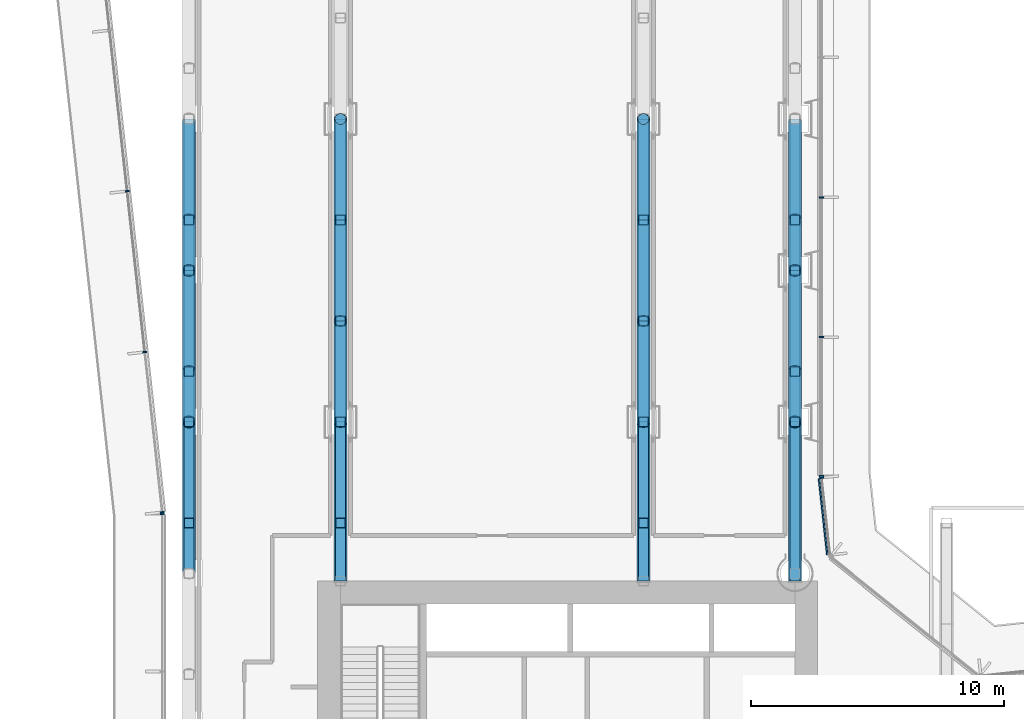
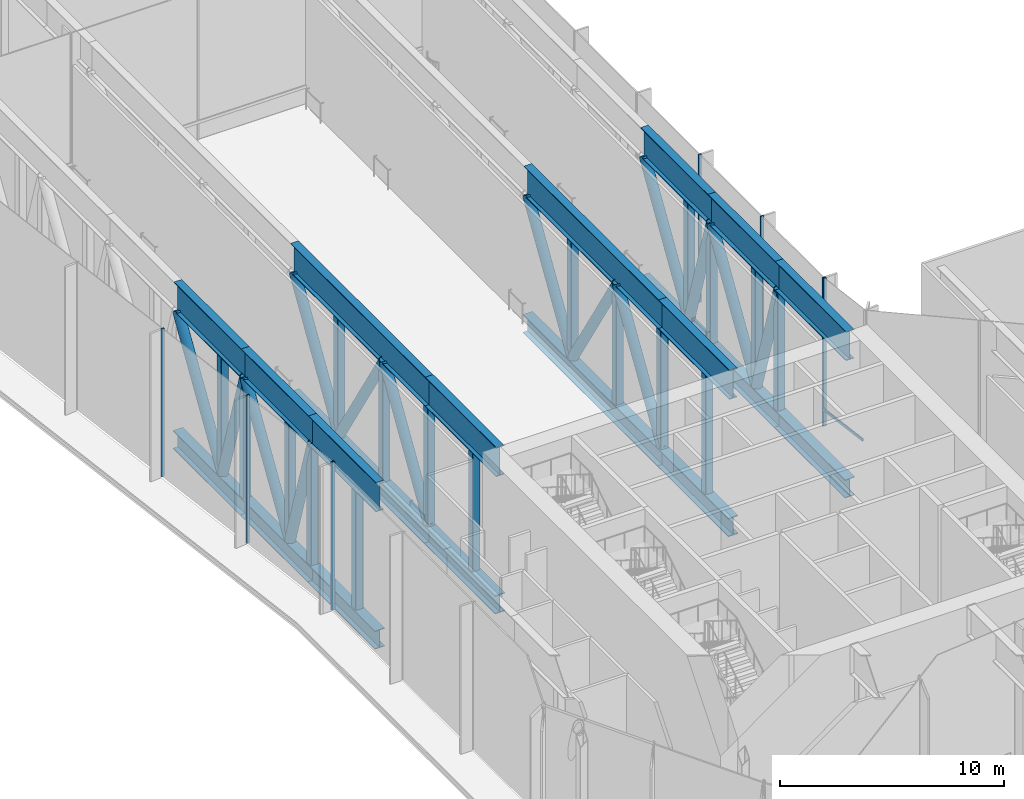
# One storey, part 7 of 25: 60 members, 4 elements without a shape of their own.
"""IFC4 building model written with IfcOpenShell, lengths in metres."""

import ifcopenshell
import ifcopenshell.guid

model = None  # the IFC model being written
_history = None  # IfcOwnerHistory: only IFC2X3 demands one
_inside = {}  # id of a spatial element -> (the spatial element, [elements in it])
_under = {}  # id of a project, library or spatial element -> (it, [spatial elements below it])
_declared = {}  # id of a project -> (the project, [libraries it declares])
_typed = {}  # id of a type object -> (the type object, [elements of that type])
_made_of = {}  # id of a material, layer set ... -> (it, [elements and type objects made of it])


def new_model(schema):
    """Start an empty IFC model of exactly this schema.

    Asked for "IFC4X3", IfcOpenShell would pick the latest addendum, in which some entities
    have other attributes; the version numbers below select the first issue.
    IFC2X3 requires an IfcOwnerHistory on every rooted entity: one is made here for all.
    """
    global model, _history
    if schema == "IFC4X3":
        model = ifcopenshell.file(schema_version=(4, 3, 0, 0))
    else:
        model = ifcopenshell.file(schema=schema)
    _inside.clear()
    _under.clear()
    _declared.clear()
    _typed.clear()
    _made_of.clear()
    _history = None
    if model.schema == "IFC2X3":
        org = make("IfcOrganization", Name="unknown")
        user = make(
            "IfcPersonAndOrganization",
            ThePerson=make("IfcPerson", FamilyName="unknown"),
            TheOrganization=org,
        )
        app = make(
            "IfcApplication",
            ApplicationDeveloper=org,
            Version="unknown",
            ApplicationFullName="unknown",
            ApplicationIdentifier="unknown",
        )
        _history = make(
            "IfcOwnerHistory",
            OwningUser=user,
            OwningApplication=app,
            ChangeAction="ADDED",
            CreationDate=0,
        )
    return model


def make(cls, **values):
    """One entity of the class cls with the attributes given. An attribute that is None is left unset."""
    return model.create_entity(
        cls, **{name: value for name, value in values.items() if value is not None}
    )


def rooted(cls, **values):
    """An entity with a GlobalId (a new one), such as an element, a storey or a relation."""
    return make(cls, GlobalId=ifcopenshell.guid.new(), OwnerHistory=_history, **values)


def si_unit(unit_type, name, prefix=None):
    """IfcSIUnit, for example si_unit("LENGTHUNIT", "METRE", prefix="MILLI")."""
    return make("IfcSIUnit", UnitType=unit_type, Prefix=prefix, Name=name)


def assignment(units):
    """IfcUnitAssignment: the units of a project."""
    return None if units is None else make("IfcUnitAssignment", Units=units)


def point(xyz):
    """IfcCartesianPoint."""
    return None if xyz is None else make("IfcCartesianPoint", Coordinates=xyz)


def direction(xyz):
    """IfcDirection."""
    return None if xyz is None else make("IfcDirection", DirectionRatios=xyz)


def frame(location, z_axis=None, x_axis=None):
    """IfcAxis2Placement3D, a coordinate frame: its origin and axes. An axis left out is left unset."""
    return make(
        "IfcAxis2Placement3D",
        Location=point(location),
        Axis=direction(z_axis),
        RefDirection=direction(x_axis),
    )


def frame_2d(location, x_axis=None):
    """IfcAxis2Placement2D, a coordinate frame in the plane: its origin and x axis."""
    return make(
        "IfcAxis2Placement2D", Location=point(location), RefDirection=direction(x_axis)
    )


def origin():
    """The frame at (0, 0, 0) with its axes left unset."""
    return frame((0.0, 0.0, 0.0))


def origin_2d():
    """The frame at (0, 0) in the plane with its x axis left unset."""
    return frame_2d((0.0, 0.0))


def place(relative_to, where):
    """IfcLocalPlacement: puts the frame where relative to a parent placement (None: the world)."""
    return make(
        "IfcLocalPlacement", PlacementRelTo=relative_to, RelativePlacement=where
    )


def context(
    kind, dimensions, precision=None, world=None, true_north=None, identifier=None
):
    """IfcGeometricRepresentationContext, for example the 3D "Model" context."""
    return make(
        "IfcGeometricRepresentationContext",
        ContextIdentifier=identifier,
        ContextType=kind,
        CoordinateSpaceDimension=dimensions,
        Precision=precision,
        WorldCoordinateSystem=world,
        TrueNorth=true_north,
    )


def subcontext(parent, identifier, kind, view, scale=None):
    """IfcGeometricRepresentationSubContext, for example "Body" below "Model"."""
    return make(
        "IfcGeometricRepresentationSubContext",
        ContextIdentifier=identifier,
        ContextType=kind,
        ParentContext=parent,
        TargetScale=scale,
        TargetView=view,
    )


def project(units=None, contexts=None):
    """IfcProject with its units and contexts."""
    return rooted(
        "IfcProject",
        Name="project",
        RepresentationContexts=contexts,
        UnitsInContext=assignment(units),
    )


def spatial(cls, under=None, at=None, **own):
    """A site, building, storey or space (cls), placed at a placement, below another one or the project."""
    s = rooted(cls, ObjectPlacement=at, **own)
    if under is not None:
        _under.setdefault(under.id(), (under, []))[1].append(s)
    return s


def profile(cls, at=None, kind="AREA", **sizes):
    """A parametric profile (cls). Its sizes go by their IFC names, for example OverallWidth=200.0."""
    return make(cls, ProfileType=kind, Position=at, **sizes)


def rectangle(**sizes):
    """IfcRectangleProfileDef."""
    return profile("IfcRectangleProfileDef", **sizes)


def hollow_rectangle(**sizes):
    """IfcRectangleHollowProfileDef."""
    return profile("IfcRectangleHollowProfileDef", **sizes)


def hollow_circle(**sizes):
    """IfcCircleHollowProfileDef."""
    return profile("IfcCircleHollowProfileDef", **sizes)


def i_section(**sizes):
    """IfcIShapeProfileDef."""
    return profile("IfcIShapeProfileDef", **sizes)


def extrude(swept, where, along, depth):
    """IfcExtrudedAreaSolid: the profile swept, set in the frame where, extruded along a direction by depth."""
    return make(
        "IfcExtrudedAreaSolid",
        SweptArea=swept,
        Position=where,
        ExtrudedDirection=direction(along),
        Depth=depth,
    )


def shape(context_of_items, identifier, shape_type, items):
    """IfcShapeRepresentation: the items that make up one representation, for example the "Body"."""
    return make(
        "IfcShapeRepresentation",
        ContextOfItems=context_of_items,
        RepresentationIdentifier=identifier,
        RepresentationType=shape_type,
        Items=items,
    )


def material(Name=None, Category=None):
    """IfcMaterial."""
    return make("IfcMaterial", Name=Name, Category=Category)


def layer(
    of_material, thickness, ventilated=None, Name=None, Category=None, Priority=None
):
    """IfcMaterialLayer: one layer of a wall or slab, of a material (None: an air gap)."""
    return make(
        "IfcMaterialLayer",
        Material=of_material,
        LayerThickness=thickness,
        IsVentilated=ventilated,
        Name=Name,
        Category=Category,
        Priority=Priority,
    )


def layer_set(layers, Name=None):
    """IfcMaterialLayerSet."""
    return make("IfcMaterialLayerSet", MaterialLayers=layers, LayerSetName=Name)


def material_profile(
    of_material, cross_section, Name=None, Category=None, Priority=None
):
    """IfcMaterialProfile: a cross section and its material."""
    return make(
        "IfcMaterialProfile",
        Name=Name,
        Material=of_material,
        Profile=cross_section,
        Priority=Priority,
        Category=Category,
    )


def profile_set(profiles, Name=None, composite=None):
    """IfcMaterialProfileSet."""
    return make(
        "IfcMaterialProfileSet",
        Name=Name,
        MaterialProfiles=profiles,
        CompositeProfile=composite,
    )


def made_of(thing, what):
    """Note that an element or type object is made of a material, layer set ...; save() writes the relation."""
    if what is not None:
        _made_of.setdefault(what.id(), (what, []))[1].append(thing)
    return thing


def type_object(cls, material=None, **own):
    """A type object (cls), such as IfcWallType, which elements share."""
    return made_of(rooted(cls, **own), material)


def element(
    cls,
    number,
    at=None,
    inside=None,
    cuts=None,
    type_object=None,
    material=None,
    context=None,
    identifier="Body",
    shape_type=None,
    held_by="IfcProductDefinitionShape",
    body=None,
    shapes=None,
    **own,
):
    """One element of the class cls, such as IfcWall. Its Tag is "e" and its number.

    at: its placement. inside: the storey or other place that contains it. cuts: it is an
    opening in that element (IfcRelVoidsElement). A single representation is given by context,
    identifier, shape_type and body (its items); several are given by shapes. held_by: the class
    of the entity that holds the representations. save() writes the other relations.
    """
    e = rooted(cls, Tag="e%d" % number, ObjectPlacement=at, **own)
    if body is not None:
        shapes = [shape(context, identifier, shape_type, body)]
    if shapes is not None:
        e.Representation = make(held_by, Representations=shapes)
    if inside is not None:
        _inside.setdefault(inside.id(), (inside, []))[1].append(e)
    if cuts is not None:
        rooted(
            "IfcRelVoidsElement", RelatingBuildingElement=cuts, RelatedOpeningElement=e
        )
    if type_object is not None:
        _typed.setdefault(type_object.id(), (type_object, []))[1].append(e)
    return made_of(e, material)


def aggregate(whole, parts):
    """IfcRelAggregates: a whole, such as a stair, and the parts it consists of."""
    return rooted("IfcRelAggregates", RelatingObject=whole, RelatedObjects=parts)


def save(model, path):
    """Write the relations noted so far, then the file.

    IfcRelAggregates (storeys below a building ...), IfcRelContainedInSpatialStructure (elements
    in a storey), IfcRelDefinesByType, IfcRelAssociatesMaterial and IfcRelDeclares: one each for
    every whole, place, type object, material and project.
    """
    for whole, parts in _under.values():
        aggregate(whole, parts)
    for where, things in _inside.values():
        rooted(
            "IfcRelContainedInSpatialStructure",
            RelatedElements=things,
            RelatingStructure=where,
        )
    for kind, things in _typed.values():
        rooted("IfcRelDefinesByType", RelatedObjects=things, RelatingType=kind)
    for what, things in _made_of.values():
        rooted("IfcRelAssociatesMaterial", RelatedObjects=things, RelatingMaterial=what)
    for by, libraries in _declared.values():
        rooted("IfcRelDeclares", RelatingContext=by, RelatedDefinitions=libraries)
    model.write(path)


model = new_model("IFC4")

# Units and contexts
model_context = context("Model", 3, precision=1e-05, world=origin(), true_north=direction((0.0, 1.0)))
body_context = subcontext(model_context, "Body", "Model", "MODEL_VIEW")
ifc_project = project(units=[si_unit("LENGTHUNIT", "METRE"), si_unit("AREAUNIT", "SQUARE_METRE"), si_unit("VOLUMEUNIT", "CUBIC_METRE"), si_unit("PLANEANGLEUNIT", "RADIAN"), si_unit("MASSUNIT", "GRAM", prefix="KILO")], contexts=[model_context])

# Site, building, storey
site_placement = place(None, origin())
site = spatial("IfcSite", under=ifc_project, at=site_placement, CompositionType="ELEMENT")
building_placement = place(site_placement, origin())
building = spatial("IfcBuilding", under=site, at=building_placement, Name="Welwitschia Terrace Campus", CompositionType="ELEMENT")
storey_placement = place(building_placement, frame((0.0, 0.0, 79.39990234375)))
storey = spatial("IfcBuildingStorey", under=building, at=storey_placement, Name="L18", CompositionType="ELEMENT", Elevation=79.39990234375)

# Curtain wall, members
ifc_material_1 = material(Name="Bronze anodised aluminium", Category="aluminium")
ifc_layer = layer(ifc_material_1, 0.159912109375)
ifc_layer_set = layer_set([ifc_layer], Name="Bronze anodised aluminium")
curtain_wall_type = type_object("IfcCurtainWallType", Name="Curtain wall CW3 commons 6000", PredefinedType="NOTDEFINED", material=ifc_layer_set)
curtain_wall_1_placement = place(storey_placement, origin())
curtain_wall_1 = element("IfcCurtainWall", 1, at=curtain_wall_1_placement, inside=storey, type_object=curtain_wall_type, Name="CW L18.3.0", PredefinedType="NOTDEFINED")
ifc_material_2 = material(Name="Bronze anodised aluminium", Category="aluminium")
ifc_material_profile_1 = material_profile(ifc_material_2, rectangle(XDim=0.159912109375, YDim=0.06005859375, at=origin_2d()))
ifc_profile_set_1 = profile_set([ifc_material_profile_1], Name="Bronze anodised aluminium")
member_type_1 = type_object("IfcMemberType", Name="Mullion 60x160", PredefinedType="MULLION", material=ifc_profile_set_1)
member_1_placement = place(storey_placement, frame((-2.44580078125, 41.140625, 0.0), z_axis=(0.0, 0.0, 1.0), x_axis=(0.994056338222, 0.108866874852, 0.0)))
member_1 = element("IfcMember", 2, at=member_1_placement, type_object=member_type_1, Name="Mullion L18.3.0.3", PredefinedType="MULLION", context=body_context, shape_type="SweptSolid", body=[
    extrude(rectangle(XDim=0.159912109375, YDim=0.06005859375, at=origin_2d()), origin(), (0.0, 0.0, 1.0), 8.050048828125),
])
member_2_placement = place(storey_placement, frame((-1.747802734375, 34.768310546875, 0.0), z_axis=(0.0, 0.0, 1.0), x_axis=(0.994056338222, 0.108866874852, 0.0)))
member_2 = element("IfcMember", 3, at=member_2_placement, type_object=member_type_1, Name="Mullion L18.3.0.4", PredefinedType="MULLION", context=body_context, shape_type="SweptSolid", body=[
    extrude(rectangle(XDim=0.159912109375, YDim=0.06005859375, at=origin_2d()), origin(), (0.0, 0.0, 1.0), 8.050048828125),
])
member_3_placement = place(storey_placement, frame((-1.05322265625, 28.42578125, 0.0), z_axis=(0.0, 0.0, 1.0), x_axis=(0.994056338222, 0.108866874852, 0.0)))
member_3 = element("IfcMember", 4, at=member_3_placement, type_object=member_type_1, Name="Mullion L18.3.0.5", PredefinedType="MULLION", context=body_context, shape_type="SweptSolid", body=[
    extrude(rectangle(XDim=0.159912109375, YDim=0.06005859375, at=origin_2d()), origin(), (0.0, 0.0, 1.0), 8.050048828125),
])
aggregate(curtain_wall_1, [member_1, member_2, member_3])

# Curtain wall, member
curtain_wall_2_placement = place(storey_placement, origin())
curtain_wall_2 = element("IfcCurtainWall", 5, at=curtain_wall_2_placement, inside=storey, type_object=curtain_wall_type, Name="CW L18.4.0", PredefinedType="NOTDEFINED")
member_4_placement = place(storey_placement, frame((-1.050048828125, 28.365966796875, 0.0), z_axis=(0.0, 0.0, 1.0), x_axis=(1.0, 0.0, 0.0)))
member_4 = element("IfcMember", 6, at=member_4_placement, type_object=member_type_1, Name="Mullion L18.4.0.0", PredefinedType="MULLION", context=body_context, shape_type="SweptSolid", body=[
    extrude(rectangle(XDim=0.159912109375, YDim=0.06005859375, at=origin_2d()), origin(), (0.0, 0.0, 1.0), 8.050048828125),
])
aggregate(curtain_wall_2, [member_4])

curtain_wall_3_placement = place(storey_placement, origin())
curtain_wall_3 = element("IfcCurtainWall", 7, at=curtain_wall_3_placement, inside=storey, type_object=curtain_wall_type, Name="CW L18.14.0", PredefinedType="NOTDEFINED")
member_5_placement = place(storey_placement, frame((25.05322265625, 29.791259765625, 0.0), z_axis=(0.0, 0.0, 1.0), x_axis=(-0.994056338222, -0.108866874852, 0.0)))
member_5 = element("IfcMember", 8, at=member_5_placement, type_object=member_type_1, Name="Mullion L18.14.0.1", PredefinedType="MULLION", context=body_context, shape_type="SweptSolid", body=[
    extrude(rectangle(XDim=0.159912109375, YDim=0.06005859375, at=origin_2d()), origin(), (0.0, 0.0, 1.0), 8.050048828125),
])

# Curtain wall, members
curtain_wall_4_placement = place(storey_placement, origin())
curtain_wall_4 = element("IfcCurtainWall", 9, at=curtain_wall_4_placement, inside=storey, type_object=curtain_wall_type, Name="CW L18.15.0", PredefinedType="NOTDEFINED")
member_6_placement = place(storey_placement, frame((25.050048828125, 29.85107421875, 0.0), z_axis=(0.0, 0.0, 1.0), x_axis=(-1.0, 0.0, 0.0)))
member_6 = element("IfcMember", 10, at=member_6_placement, type_object=member_type_1, Name="Mullion L18.15.0.0", PredefinedType="MULLION", context=body_context, shape_type="SweptSolid", body=[
    extrude(rectangle(XDim=0.159912109375, YDim=0.06005859375, at=origin_2d()), origin(), (0.0, 0.0, 1.0), 8.050048828125),
])
member_7_placement = place(storey_placement, frame((25.050048828125, 35.359130859375, 0.0), z_axis=(0.0, 0.0, 1.0), x_axis=(-1.0, 0.0, 0.0)))
member_7 = element("IfcMember", 11, at=member_7_placement, type_object=member_type_1, Name="Mullion L18.15.0.1", PredefinedType="MULLION", context=body_context, shape_type="SweptSolid", body=[
    extrude(rectangle(XDim=0.159912109375, YDim=0.06005859375, at=origin_2d()), origin(), (0.0, 0.0, 1.0), 8.050048828125),
])
member_8_placement = place(storey_placement, frame((25.050048828125, 40.897216796875, 0.0), z_axis=(0.0, 0.0, 1.0), x_axis=(-1.0, 0.0, 0.0)))
member_8 = element("IfcMember", 12, at=member_8_placement, type_object=member_type_1, Name="Mullion L18.15.0.2", PredefinedType="MULLION", context=body_context, shape_type="SweptSolid", body=[
    extrude(rectangle(XDim=0.159912109375, YDim=0.06005859375, at=origin_2d()), origin(), (0.0, 0.0, 1.0), 8.050048828125),
])
aggregate(curtain_wall_4, [member_6, member_7, member_8])

# Members
ifc_material_3 = material(Name="Steel S355", Category="steel")
ifc_material_profile_2 = material_profile(ifc_material_3, i_section(OverallWidth=0.5, OverallDepth=1.0, WebThickness=0.030029296875, FlangeThickness=0.0400390625, at=origin_2d()))
ifc_profile_set_2 = profile_set([ifc_material_profile_2], Name="Steel S355")
member_type_2 = type_object("IfcMemberType", Name="Transfer truss C1 bottom chord WI 1000x500x30x40", PredefinedType="CHORD", material=ifc_profile_set_2)
for number, where, z_axis, x_axis, name in (
    (13, (0.0, 26.0, -0.5), (0.0, 1.0, 0.0), (-1.0, 0.0, 0.0), "Truss bottom chord"),
    (14, (0.0, 32.0, -0.5), (0.0, 1.0, 0.0), (-1.0, 0.0, 0.0), "Truss bottom chord"),
    (15, (0.0, 38.0, -0.5), (0.0, 1.0, 0.0), (-1.0, 0.0, 0.0), "Truss bottom chord"),
):
    element("IfcMember", number, at=place(storey_placement, frame(where, z_axis=z_axis, x_axis=x_axis)), inside=storey, type_object=member_type_2, Name=name, PredefinedType="CHORD", context=body_context, shape_type="SweptSolid", body=[
        extrude(i_section(OverallWidth=0.5, OverallDepth=1.0, WebThickness=0.030029296875, FlangeThickness=0.0400390625, at=origin_2d()), origin(), (0.0, 0.0, 1.0), 6.0),
    ])
member_9_placement = place(storey_placement, frame((6.0, 25.699951171875, -0.5), z_axis=(0.0, 1.0, 0.0), x_axis=(-1.0, 0.0, 0.0)))
element("IfcMember", 16, at=member_9_placement, inside=storey, type_object=member_type_2, Name="Truss bottom chord", PredefinedType="CHORD", context=body_context, shape_type="SweptSolid", body=[
    extrude(i_section(OverallWidth=0.5, OverallDepth=1.0, WebThickness=0.030029296875, FlangeThickness=0.0400390625, at=origin_2d()), origin(), (0.0, 0.0, 1.0), 6.300048828125),
])
member_10_placement = place(storey_placement, frame((6.0, 32.0, -0.5), z_axis=(0.0, 1.0, 0.0), x_axis=(-1.0, 0.0, 0.0)))
element("IfcMember", 17, at=member_10_placement, inside=storey, type_object=member_type_2, Name="Truss bottom chord", PredefinedType="CHORD", context=body_context, shape_type="SweptSolid", body=[
    extrude(i_section(OverallWidth=0.5, OverallDepth=1.0, WebThickness=0.030029296875, FlangeThickness=0.0400390625, at=origin_2d()), origin(), (0.0, 0.0, 1.0), 12.0),
])
member_11_placement = place(storey_placement, frame((18.0, 25.699951171875, -0.5), z_axis=(0.0, 1.0, 0.0), x_axis=(-1.0, 0.0, 0.0)))
element("IfcMember", 18, at=member_11_placement, inside=storey, type_object=member_type_2, Name="Truss bottom chord", PredefinedType="CHORD", context=body_context, shape_type="SweptSolid", body=[
    extrude(i_section(OverallWidth=0.5, OverallDepth=1.0, WebThickness=0.030029296875, FlangeThickness=0.0400390625, at=origin_2d()), origin(), (0.0, 0.0, 1.0), 6.300048828125),
])
member_12_placement = place(storey_placement, frame((18.0, 32.0, -0.5), z_axis=(0.0, 1.0, 0.0), x_axis=(-1.0, 0.0, 0.0)))
element("IfcMember", 19, at=member_12_placement, inside=storey, type_object=member_type_2, Name="Truss bottom chord", PredefinedType="CHORD", context=body_context, shape_type="SweptSolid", body=[
    extrude(i_section(OverallWidth=0.5, OverallDepth=1.0, WebThickness=0.030029296875, FlangeThickness=0.0400390625, at=origin_2d()), origin(), (0.0, 0.0, 1.0), 12.0),
])
member_13_placement = place(storey_placement, frame((24.0, 25.699951171875, -0.5), z_axis=(0.0, 1.0, 0.0), x_axis=(-1.0, 0.0, 0.0)))
element("IfcMember", 20, at=member_13_placement, inside=storey, type_object=member_type_2, Name="Truss bottom chord", PredefinedType="CHORD", context=body_context, shape_type="SweptSolid", body=[
    extrude(i_section(OverallWidth=0.5, OverallDepth=1.0, WebThickness=0.030029296875, FlangeThickness=0.0400390625, at=origin_2d()), origin(), (0.0, 0.0, 1.0), 6.300048828125),
])
for number, where, z_axis, x_axis, name in (
    (21, (24.0, 32.0, -0.5), (0.0, 1.0, 0.0), (-1.0, 0.0, 0.0), "Truss bottom chord"),
    (22, (24.0, 38.0, -0.5), (0.0, 1.0, 0.0), (-1.0, 0.0, 0.0), "Truss bottom chord"),
):
    element("IfcMember", number, at=place(storey_placement, frame(where, z_axis=z_axis, x_axis=x_axis)), inside=storey, type_object=member_type_2, Name=name, PredefinedType="CHORD", context=body_context, shape_type="SweptSolid", body=[
        extrude(i_section(OverallWidth=0.5, OverallDepth=1.0, WebThickness=0.030029296875, FlangeThickness=0.0400390625, at=origin_2d()), origin(), (0.0, 0.0, 1.0), 6.0),
    ])
ifc_material_4 = material(Name="Steel S355", Category="steel")
ifc_material_profile_3 = material_profile(ifc_material_4, hollow_circle(Radius=0.25390625, WallThickness=0.02490234375, at=origin_2d()))
ifc_profile_set_3 = profile_set([ifc_material_profile_3], Name="Steel S355")
member_type_3 = type_object("IfcMemberType", Name="Transfer truss C1 diagonal CHS 508x25", PredefinedType="BRACE", material=ifc_profile_set_3)
member_14_placement = place(storey_placement, frame((0.0, 34.0, 0.0), z_axis=(0.0, -0.296158139039, 0.955138920095), x_axis=(1.0, 0.0, 0.0)))
element("IfcMember", 23, at=member_14_placement, inside=storey, type_object=member_type_3, Name="Truss diagonal", PredefinedType="BRACE", context=body_context, shape_type="SweptSolid", body=[
    extrude(hollow_circle(Radius=0.25390625, WallThickness=0.02490234375, at=origin_2d()), origin(), (0.0, 0.0, 1.0), 6.753173828125),
])
member_15_placement = place(storey_placement, frame((0.0, 34.0, 0.0), z_axis=(0.0, 0.527023313392, 0.849850826405), x_axis=(-1.0, 0.0, 0.0)))
element("IfcMember", 24, at=member_15_placement, inside=storey, type_object=member_type_3, Name="Truss diagonal", PredefinedType="BRACE", context=body_context, shape_type="SweptSolid", body=[
    extrude(hollow_circle(Radius=0.25390625, WallThickness=0.02490234375, at=origin_2d()), origin(), (0.0, 0.0, 1.0), 7.58984375),
])
member_16_placement = place(storey_placement, frame((0.0, 40.0, 0.0), z_axis=(0.0, -0.296158139039, 0.955138920095), x_axis=(1.0, 0.0, 0.0)))
element("IfcMember", 25, at=member_16_placement, inside=storey, type_object=member_type_3, Name="Truss diagonal", PredefinedType="BRACE", context=body_context, shape_type="SweptSolid", body=[
    extrude(hollow_circle(Radius=0.25390625, WallThickness=0.02490234375, at=origin_2d()), origin(), (0.0, 0.0, 1.0), 6.753173828125),
])
for number, where, z_axis, x_axis, name in (
    (26, (0.0, 40.0, 0.0), (0.0, 0.527023313392, 0.849850826405), (-1.0, 0.0, 0.0), "Truss diagonal"),
    (27, (6.0, 32.0, 0.0), (0.0, 0.527023313392, 0.849850826405), (-1.0, 0.0, 0.0), "Truss diagonal"),
    (28, (6.0, 40.0, 0.0), (0.0, -0.527023313392, 0.849850826405), (1.0, 0.0, 0.0), "Truss diagonal"),
    (29, (6.0, 40.0, 0.0), (0.0, 0.527023313392, 0.849850826405), (-1.0, 0.0, 0.0), "Truss diagonal"),
    (30, (18.0, 32.0, 0.0), (0.0, 0.527023313392, 0.849850826405), (-1.0, 0.0, 0.0), "Truss diagonal"),
    (31, (18.0, 40.0, 0.0), (0.0, -0.527023313392, 0.849850826405), (1.0, 0.0, 0.0), "Truss diagonal"),
    (32, (18.0, 40.0, 0.0), (0.0, 0.527023313392, 0.849850826405), (-1.0, 0.0, 0.0), "Truss diagonal"),
):
    element("IfcMember", number, at=place(storey_placement, frame(where, z_axis=z_axis, x_axis=x_axis)), inside=storey, type_object=member_type_3, Name=name, PredefinedType="BRACE", context=body_context, shape_type="SweptSolid", body=[
        extrude(hollow_circle(Radius=0.25390625, WallThickness=0.02490234375, at=origin_2d()), origin(), (0.0, 0.0, 1.0), 7.58984375),
    ])
member_17_placement = place(storey_placement, frame((24.0, 34.0, 0.0), z_axis=(0.0, -0.296158139039, 0.955138920095), x_axis=(1.0, 0.0, 0.0)))
element("IfcMember", 33, at=member_17_placement, inside=storey, type_object=member_type_3, Name="Truss diagonal", PredefinedType="BRACE", context=body_context, shape_type="SweptSolid", body=[
    extrude(hollow_circle(Radius=0.25390625, WallThickness=0.02490234375, at=origin_2d()), origin(), (0.0, 0.0, 1.0), 6.753173828125),
])
member_18_placement = place(storey_placement, frame((24.0, 34.0, 0.0), z_axis=(0.0, 0.527023313392, 0.849850826405), x_axis=(-1.0, 0.0, 0.0)))
element("IfcMember", 34, at=member_18_placement, inside=storey, type_object=member_type_3, Name="Truss diagonal", PredefinedType="BRACE", context=body_context, shape_type="SweptSolid", body=[
    extrude(hollow_circle(Radius=0.25390625, WallThickness=0.02490234375, at=origin_2d()), origin(), (0.0, 0.0, 1.0), 7.58984375),
])
member_19_placement = place(storey_placement, frame((24.0, 40.0, 0.0), z_axis=(0.0, -0.296158139039, 0.955138920095), x_axis=(1.0, 0.0, 0.0)))
element("IfcMember", 35, at=member_19_placement, inside=storey, type_object=member_type_3, Name="Truss diagonal", PredefinedType="BRACE", context=body_context, shape_type="SweptSolid", body=[
    extrude(hollow_circle(Radius=0.25390625, WallThickness=0.02490234375, at=origin_2d()), origin(), (0.0, 0.0, 1.0), 6.753173828125),
])
member_20_placement = place(storey_placement, frame((24.0, 40.0, 0.0), z_axis=(0.0, 0.527023313392, 0.849850826405), x_axis=(-1.0, 0.0, 0.0)))
element("IfcMember", 36, at=member_20_placement, inside=storey, type_object=member_type_3, Name="Truss diagonal", PredefinedType="BRACE", context=body_context, shape_type="SweptSolid", body=[
    extrude(hollow_circle(Radius=0.25390625, WallThickness=0.02490234375, at=origin_2d()), origin(), (0.0, 0.0, 1.0), 7.58984375),
])
ifc_material_5 = material(Name="Steel S355", Category="steel")
ifc_material_profile_4 = material_profile(ifc_material_5, hollow_rectangle(XDim=0.39990234375, YDim=0.39990234375, WallThickness=0.02490234375, InnerFilletRadius=0.02490234375, OuterFilletRadius=0.03759765625, at=origin_2d()))
ifc_profile_set_4 = profile_set([ifc_material_profile_4], Name="Steel S355")
member_type_4 = type_object("IfcMemberType", Name="Transfer truss C1 post SHS 400x400x25", PredefinedType="POST", material=ifc_profile_set_4)
for number, where, z_axis, x_axis, name in (
    (37, (0.0, 28.0, 0.0), (0.0, 0.0, 1.0), (1.0, 0.0, 0.0), "Truss post"),
    (38, (0.0, 32.0, 0.0), (0.0, 0.0, 1.0), (1.0, 0.0, 0.0), "Truss post"),
    (39, (0.0, 34.0, 0.0), (0.0, 0.0, 1.0), (1.0, 0.0, 0.0), "Truss post"),
    (40, (0.0, 38.0, 0.0), (0.0, 0.0, 1.0), (1.0, 0.0, 0.0), "Truss post"),
    (41, (0.0, 40.0, 0.0), (0.0, 0.0, 1.0), (1.0, 0.0, 0.0), "Truss post"),
    (42, (6.0, 28.0, 0.0), (0.0, 0.0, 1.0), (1.0, 0.0, 0.0), "Truss post"),
    (43, (6.0, 32.0, 0.0), (0.0, 0.0, 1.0), (1.0, 0.0, 0.0), "Truss post"),
    (44, (6.0, 36.0, 0.0), (0.0, 0.0, 1.0), (1.0, 0.0, 0.0), "Truss post"),
    (45, (6.0, 40.0, 0.0), (0.0, 0.0, 1.0), (1.0, 0.0, 0.0), "Truss post"),
    (46, (18.0, 28.0, 0.0), (0.0, 0.0, 1.0), (1.0, 0.0, 0.0), "Truss post"),
    (47, (18.0, 32.0, 0.0), (0.0, 0.0, 1.0), (1.0, 0.0, 0.0), "Truss post"),
    (48, (18.0, 36.0, 0.0), (0.0, 0.0, 1.0), (1.0, 0.0, 0.0), "Truss post"),
    (49, (18.0, 40.0, 0.0), (0.0, 0.0, 1.0), (1.0, 0.0, 0.0), "Truss post"),
    (50, (24.0, 32.0, 0.0), (0.0, 0.0, 1.0), (1.0, 0.0, 0.0), "Truss post"),
    (51, (24.0, 34.0, 0.0), (0.0, 0.0, 1.0), (1.0, 0.0, 0.0), "Truss post"),
    (52, (24.0, 38.0, 0.0), (0.0, 0.0, 1.0), (1.0, 0.0, 0.0), "Truss post"),
    (53, (24.0, 40.0, 0.0), (0.0, 0.0, 1.0), (1.0, 0.0, 0.0), "Truss post"),
):
    element("IfcMember", number, at=place(storey_placement, frame(where, z_axis=z_axis, x_axis=x_axis)), inside=storey, type_object=member_type_4, Name=name, PredefinedType="POST", context=body_context, shape_type="SweptSolid", body=[
        extrude(hollow_rectangle(XDim=0.39990234375, YDim=0.39990234375, WallThickness=0.02490234375, InnerFilletRadius=0.02490234375, OuterFilletRadius=0.03759765625, at=origin_2d()), origin(), (0.0, 0.0, 1.0), 6.4501953125),
    ])
ifc_material_6 = material(Name="Steel S355", Category="steel")
ifc_material_profile_5 = material_profile(ifc_material_6, i_section(OverallWidth=0.39990234375, OverallDepth=1.60009765625, WebThickness=0.030029296875, FlangeThickness=0.0400390625, at=origin_2d()))
ifc_profile_set_5 = profile_set([ifc_material_profile_5], Name="Steel S355")
member_type_5 = type_object("IfcMemberType", Name="Transfer truss C1 top chord WI 1600x400x30x40", PredefinedType="CHORD", material=ifc_profile_set_5)
for number, where, z_axis, x_axis, name in (
    (54, (0.0, 26.0, 7.25), (0.0, 1.0, 0.0), (-1.0, 0.0, 0.0), "Truss top chord"),
    (55, (0.0, 32.0, 7.25), (0.0, 1.0, 0.0), (-1.0, 0.0, 0.0), "Truss top chord"),
    (56, (0.0, 38.0, 7.25), (0.0, 1.0, 0.0), (-1.0, 0.0, 0.0), "Truss top chord"),
):
    element("IfcMember", number, at=place(storey_placement, frame(where, z_axis=z_axis, x_axis=x_axis)), inside=storey, type_object=member_type_5, Name=name, PredefinedType="CHORD", context=body_context, shape_type="SweptSolid", body=[
        extrude(i_section(OverallWidth=0.39990234375, OverallDepth=1.60009765625, WebThickness=0.030029296875, FlangeThickness=0.0400390625, at=origin_2d()), origin(), (0.0, 0.0, 1.0), 6.0),
    ])
member_21_placement = place(storey_placement, frame((6.0, 25.699951171875, 7.25), z_axis=(0.0, 1.0, 0.0), x_axis=(-1.0, 0.0, 0.0)))
element("IfcMember", 57, at=member_21_placement, inside=storey, type_object=member_type_5, Name="Truss top chord", PredefinedType="CHORD", context=body_context, shape_type="SweptSolid", body=[
    extrude(i_section(OverallWidth=0.39990234375, OverallDepth=1.60009765625, WebThickness=0.030029296875, FlangeThickness=0.0400390625, at=origin_2d()), origin(), (0.0, 0.0, 1.0), 6.300048828125),
])
member_22_placement = place(storey_placement, frame((6.0, 32.0, 7.25), z_axis=(0.0, 1.0, 0.0), x_axis=(-1.0, 0.0, 0.0)))
element("IfcMember", 58, at=member_22_placement, inside=storey, type_object=member_type_5, Name="Truss top chord", PredefinedType="CHORD", context=body_context, shape_type="SweptSolid", body=[
    extrude(i_section(OverallWidth=0.39990234375, OverallDepth=1.60009765625, WebThickness=0.030029296875, FlangeThickness=0.0400390625, at=origin_2d()), origin(), (0.0, 0.0, 1.0), 12.0),
])
member_23_placement = place(storey_placement, frame((18.0, 25.699951171875, 7.25), z_axis=(0.0, 1.0, 0.0), x_axis=(-1.0, 0.0, 0.0)))
element("IfcMember", 59, at=member_23_placement, inside=storey, type_object=member_type_5, Name="Truss top chord", PredefinedType="CHORD", context=body_context, shape_type="SweptSolid", body=[
    extrude(i_section(OverallWidth=0.39990234375, OverallDepth=1.60009765625, WebThickness=0.030029296875, FlangeThickness=0.0400390625, at=origin_2d()), origin(), (0.0, 0.0, 1.0), 6.300048828125),
])
member_24_placement = place(storey_placement, frame((18.0, 32.0, 7.25), z_axis=(0.0, 1.0, 0.0), x_axis=(-1.0, 0.0, 0.0)))
element("IfcMember", 60, at=member_24_placement, inside=storey, type_object=member_type_5, Name="Truss top chord", PredefinedType="CHORD", context=body_context, shape_type="SweptSolid", body=[
    extrude(i_section(OverallWidth=0.39990234375, OverallDepth=1.60009765625, WebThickness=0.030029296875, FlangeThickness=0.0400390625, at=origin_2d()), origin(), (0.0, 0.0, 1.0), 12.0),
])
member_25_placement = place(storey_placement, frame((24.0, 25.699951171875, 7.25), z_axis=(0.0, 1.0, 0.0), x_axis=(-1.0, 0.0, 0.0)))
element("IfcMember", 61, at=member_25_placement, inside=storey, type_object=member_type_5, Name="Truss top chord", PredefinedType="CHORD", context=body_context, shape_type="SweptSolid", body=[
    extrude(i_section(OverallWidth=0.39990234375, OverallDepth=1.60009765625, WebThickness=0.030029296875, FlangeThickness=0.0400390625, at=origin_2d()), origin(), (0.0, 0.0, 1.0), 6.300048828125),
])
for number, where, z_axis, x_axis, name in (
    (62, (24.0, 32.0, 7.25), (0.0, 1.0, 0.0), (-1.0, 0.0, 0.0), "Truss top chord"),
    (63, (24.0, 38.0, 7.25), (0.0, 1.0, 0.0), (-1.0, 0.0, 0.0), "Truss top chord"),
):
    element("IfcMember", number, at=place(storey_placement, frame(where, z_axis=z_axis, x_axis=x_axis)), inside=storey, type_object=member_type_5, Name=name, PredefinedType="CHORD", context=body_context, shape_type="SweptSolid", body=[
        extrude(i_section(OverallWidth=0.39990234375, OverallDepth=1.60009765625, WebThickness=0.030029296875, FlangeThickness=0.0400390625, at=origin_2d()), origin(), (0.0, 0.0, 1.0), 6.0),
    ])

# Member
ifc_material_7 = material(Name="Bronze anodised aluminium", Category="aluminium")
ifc_material_profile_6 = material_profile(ifc_material_7, rectangle(XDim=0.06005859375, YDim=0.14990234375, at=origin_2d()))
ifc_profile_set_6 = profile_set([ifc_material_profile_6], Name="Bronze anodised aluminium")
member_type_6 = type_object("IfcMemberType", Name="Transom 60x150", PredefinedType="USERDEFINED", material=ifc_profile_set_6)
member_26_placement = place(storey_placement, frame((25.275634765625, 26.749267578125, 1.0), z_axis=(-0.108806531661, 0.994062945023, 0.0), x_axis=(-0.994062945023, -0.108806531661, 0.0)))
member_26 = element("IfcMember", 64, at=member_26_placement, type_object=member_type_6, Name="Transom L18.14.0", ObjectType="TRANSOM", PredefinedType="USERDEFINED", context=body_context, shape_type="SweptSolid", body=[
    extrude(rectangle(XDim=0.06005859375, YDim=0.14990234375, at=origin_2d()), origin(), (0.0, 0.0, 1.0), 3.017822265625),
])

aggregate(curtain_wall_3, [member_5, member_26])

save(model, "model.ifc")
